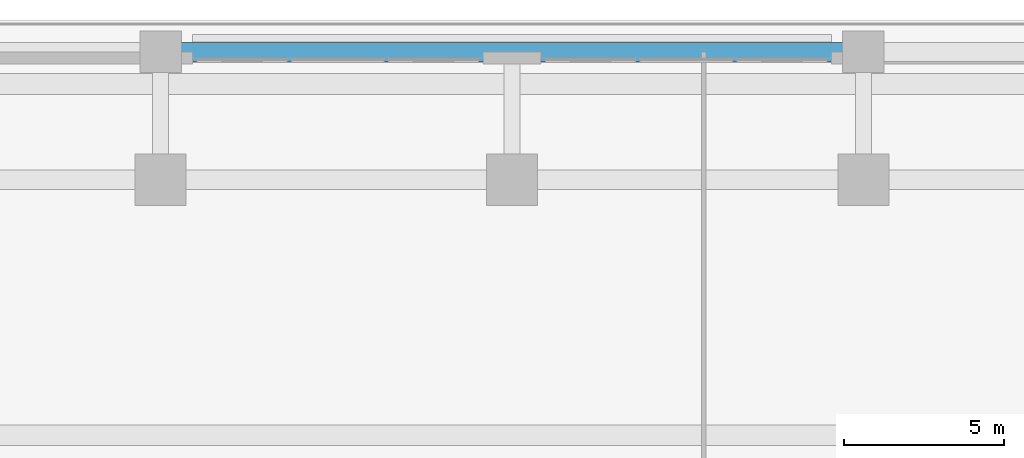
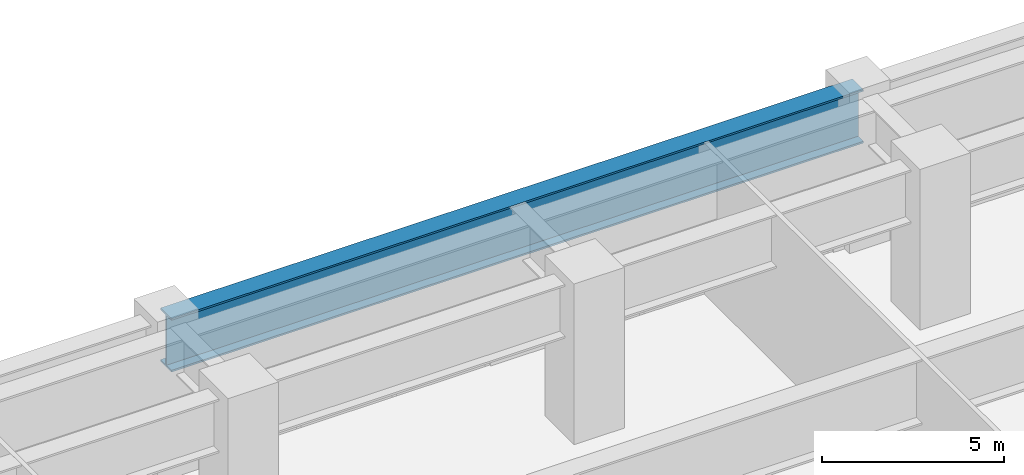
# One storey, part 11 of 28: 1 beam.
"""IFC4 building model written with IfcOpenShell, lengths in metres."""

from ifc_helpers import new_model, si_unit, direction, frame, origin, origin_2d, place, context, subcontext, project, spatial, i_section, extrude, source, transform, mapped, material, material_profile, profile_set, type_object, element, save


model = new_model("IFC4")

# Units and contexts
model_context = context("Model", 3, precision=1e-05, world=origin(), true_north=direction((0.0, 1.0)))
body_context = subcontext(model_context, "Body", "Model", "MODEL_VIEW")
ifc_project = project(units=[si_unit("LENGTHUNIT", "METRE"), si_unit("AREAUNIT", "SQUARE_METRE"), si_unit("VOLUMEUNIT", "CUBIC_METRE"), si_unit("PLANEANGLEUNIT", "RADIAN"), si_unit("MASSUNIT", "GRAM", prefix="KILO")], contexts=[model_context])

# Site, building, storey
site_placement = place(None, origin())
site = spatial("IfcSite", under=ifc_project, at=site_placement, CompositionType="ELEMENT")
building_placement = place(site_placement, origin())
building = spatial("IfcBuilding", under=site, at=building_placement, Name="Khorayat Bourse Tower", CompositionType="ELEMENT")
storey_placement = place(building_placement, frame((0.0, 0.0, 12.0)))
storey = spatial("IfcBuildingStorey", under=building, at=storey_placement, Name="L02", CompositionType="ELEMENT", Elevation=12.0)

# Beam
ifc_material = material(Name="Steel EN 10025-4 S460M", Category="steel")
ifc_material_profile = material_profile(ifc_material, i_section(OverallWidth=0.60009765625, OverallDepth=1.800048828125, WebThickness=0.031982421875, FlangeThickness=0.06005859375, at=origin_2d()), Name="PG 1800x600x32x60")
ifc_profile_set = profile_set([ifc_material_profile], Name="Steel EN 10025-4 S460M")
beam_type = type_object("IfcBeamType", Name="BM-TR-1800", PredefinedType="BEAM", material=ifc_profile_set)
shared_shape = source(origin(), body_context, "Body", "SweptSolid", [
    extrude(i_section(OverallWidth=0.60009765625, OverallDepth=1.800048828125, WebThickness=0.031982421875, FlangeThickness=0.06005859375, at=origin_2d()), origin(), (0.0, 0.0, 1.0), 22.0),
])
beam_placement = place(storey_placement, frame((-11.0, 36.0, 4.179931640625), z_axis=(1.0, 0.0, 0.0), x_axis=(0.0, 1.0, 0.0)))
element("IfcBeam", 1, at=beam_placement, inside=storey, type_object=beam_type, Name="L02 BM-TR-1800 BM-L02-PGX-094", PredefinedType="BEAM", context=body_context, shape_type="MappedRepresentation", body=[
    mapped(shared_shape, transform((0.0, 0.0, 0.0), scale=1.0)),
])

save(model, "model.ifc")
